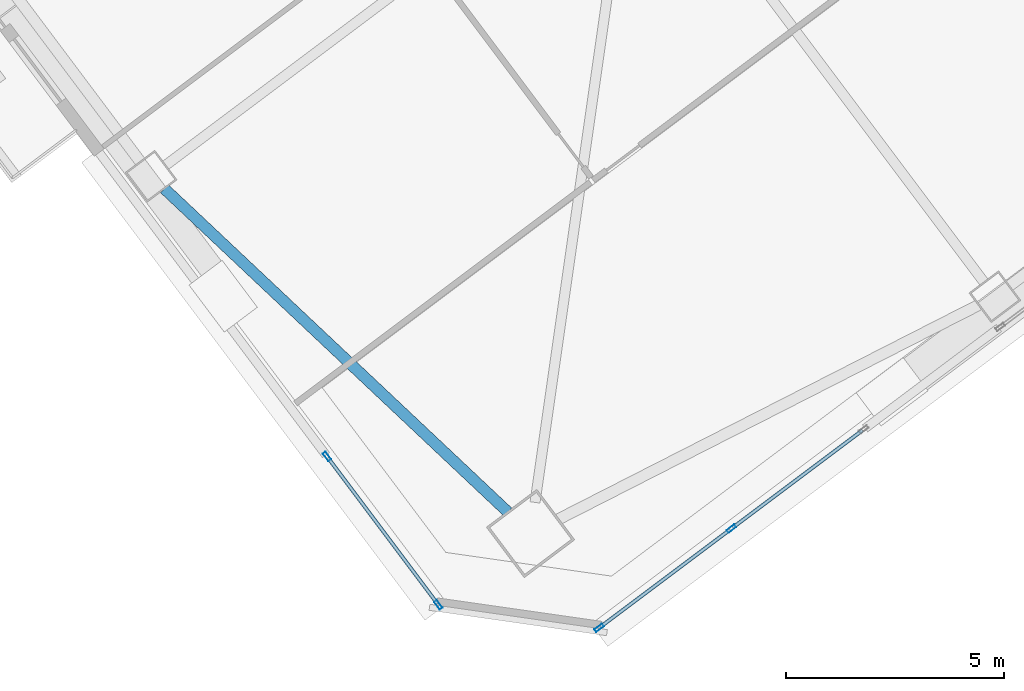
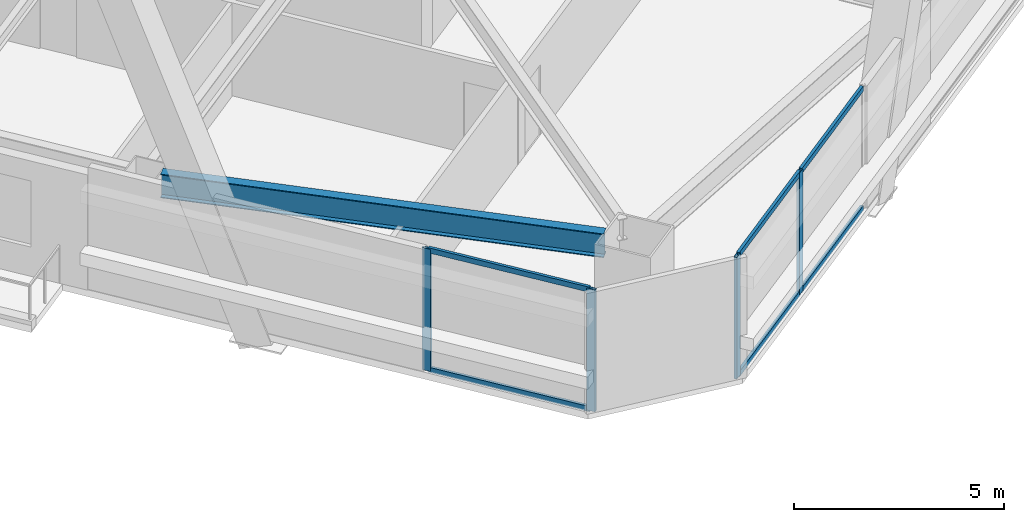
# One storey, part 24 of 54: 10 members, 1 beam, 2 elements without a shape of their own.
"""IFC4 building model written with IfcOpenShell, lengths in metres."""

from ifc_helpers import new_model, si_unit, direction, frame, origin, origin_2d, place, context, subcontext, project, spatial, hollow_rectangle, i_section, extrude, material, material_profile, profile_set, type_object, element, aggregate, save


model = new_model("IFC4")

# Units and contexts
model_context = context("Model", 3, precision=1e-05, world=origin(), true_north=direction((0.0, 1.0)))
body_context = subcontext(model_context, "Body", "Model", "MODEL_VIEW")
ifc_project = project(units=[si_unit("LENGTHUNIT", "METRE"), si_unit("AREAUNIT", "SQUARE_METRE"), si_unit("VOLUMEUNIT", "CUBIC_METRE"), si_unit("PLANEANGLEUNIT", "RADIAN"), si_unit("MASSUNIT", "GRAM", prefix="KILO")], contexts=[model_context])

# Site, building, storey
site_placement = place(None, origin())
site = spatial("IfcSite", under=ifc_project, at=site_placement, CompositionType="ELEMENT")
building_placement = place(site_placement, origin())
building = spatial("IfcBuilding", under=site, at=building_placement, Name="Tashvorn Skyway Center", CompositionType="ELEMENT")
storey_placement = place(building_placement, frame((0.0, 0.0, 88.5)))
storey = spatial("IfcBuildingStorey", under=building, at=storey_placement, Name="L23", CompositionType="ELEMENT", Elevation=88.5)

# Beam
ifc_material_1 = material(Name="Steel ASTM A992 Grade 50", Category="steel")
ifc_material_profile_1 = material_profile(ifc_material_1, i_section(OverallWidth=0.256103515625, OverallDepth=0.693115234375, WebThickness=0.014404296875, FlangeThickness=0.023681640625, at=origin_2d()), Name="W27X114")
ifc_profile_set_1 = profile_set([ifc_material_profile_1], Name="Steel ASTM A992 Grade 50")
beam_type = type_object("IfcBeamType", Name="BM-SPANDREL-W27X114", PredefinedType="SPANDREL", material=ifc_profile_set_1)
beam_placement = place(storey_placement, frame((102.145751953125, 15.842041015625, 3.00341796875), z_axis=(0.728086883893, -0.685484857238, 0.0), x_axis=(0.685484857238, 0.728086883893, 0.0)))
element("IfcBeam", 1, at=beam_placement, inside=storey, type_object=beam_type, Name="Tower 2 L23 Spandrel Beam 12", PredefinedType="SPANDREL", context=body_context, shape_type="SweptSolid", body=[
    extrude(i_section(OverallWidth=0.256103515625, OverallDepth=0.693115234375, WebThickness=0.014404296875, FlangeThickness=0.023681640625, at=origin_2d()), origin(), (0.0, 0.0, 1.0), 10.8369140625),
])

# Curtain wall, members
ifc_material_2 = material(Name="Thermally broken bronze-anodized aluminium 6063-T6", Category="aluminium")
curtain_wall_type = type_object("IfcCurtainWallType", Name="CW-CW-Z2", PredefinedType="NOTDEFINED", material=ifc_material_2)
curtain_wall_1_placement = place(storey_placement, origin())
curtain_wall_1 = element("IfcCurtainWall", 2, at=curtain_wall_1_placement, inside=storey, type_object=curtain_wall_type, Name="Tower 2 L23 South Unitised Curtain Wall Glazing Group 3", PredefinedType="NOTDEFINED")
ifc_material_profile_2 = material_profile(ifc_material_2, hollow_rectangle(XDim=0.080078125, YDim=0.219970703125, WallThickness=0.0048828125, at=origin_2d()), Name="ALU-MULL-80x220")
ifc_profile_set_2 = profile_set([ifc_material_profile_2], Name="Thermally broken bronze-anodized aluminium 6063-T6")
member_type_1 = type_object("IfcMemberType", Name="CWM-CW-Z2", PredefinedType="MULLION", material=ifc_profile_set_2)
member_1_placement = place(storey_placement, frame((115.176025390625, 8.031982421875, 0.0), z_axis=(0.0, 0.0, 1.0), x_axis=(0.600000000002, -0.799999999998, 0.0)))
member_1 = element("IfcMember", 3, at=member_1_placement, type_object=member_type_1, Name="CW-Z2 mullion 2", PredefinedType="MULLION", context=body_context, shape_type="SweptSolid", body=[
    extrude(hollow_rectangle(XDim=0.080078125, YDim=0.219970703125, WallThickness=0.0048828125, at=origin_2d()), origin(), (0.0, 0.0, 1.0), 3.550048828125),
])
member_2_placement = place(storey_placement, frame((112.135986328125, 5.751953125, 0.0), z_axis=(0.0, 0.0, 1.0), x_axis=(0.600000000002, -0.799999999998, 0.0)))
member_2 = element("IfcMember", 4, at=member_2_placement, type_object=member_type_1, Name="CW-Z2 mullion 3", PredefinedType="MULLION", context=body_context, shape_type="SweptSolid", body=[
    extrude(hollow_rectangle(XDim=0.080078125, YDim=0.219970703125, WallThickness=0.0048828125, at=origin_2d()), origin(), (0.0, 0.0, 1.0), 3.550048828125),
])

curtain_wall_2_placement = place(storey_placement, origin())
curtain_wall_2 = element("IfcCurtainWall", 5, at=curtain_wall_2_placement, inside=storey, type_object=curtain_wall_type, Name="Tower 2 L23 West Curtain Wall L Glazing Group 1", PredefinedType="NOTDEFINED")
member_3_placement = place(storey_placement, frame((108.43994140625, 6.280029296875, 0.0), z_axis=(0.0, 0.0, 1.0), x_axis=(-0.800002762832, -0.599996316206, 0.0)))
member_3 = element("IfcMember", 6, at=member_3_placement, type_object=member_type_1, Name="CW-Z2 mullion 1", PredefinedType="MULLION", context=body_context, shape_type="SweptSolid", body=[
    extrude(hollow_rectangle(XDim=0.080078125, YDim=0.219970703125, WallThickness=0.0048828125, at=origin_2d()), origin(), (0.0, 0.0, 1.0), 3.550048828125),
])
member_4_placement = place(storey_placement, frame((105.882080078125, 9.690673828125, 0.0), z_axis=(0.0, 0.0, 1.0), x_axis=(-0.800002762832, -0.599996316206, 0.0)))
member_4 = element("IfcMember", 7, at=member_4_placement, type_object=member_type_1, Name="CW-Z2 mullion 2", PredefinedType="MULLION", context=body_context, shape_type="SweptSolid", body=[
    extrude(hollow_rectangle(XDim=0.080078125, YDim=0.219970703125, WallThickness=0.0048828125, at=origin_2d()), origin(), (0.0, 0.0, 1.0), 3.550048828125),
])

# Member
ifc_material_profile_3 = material_profile(ifc_material_2, hollow_rectangle(XDim=0.080078125, YDim=0.14990234375, WallThickness=0.00439453125, at=origin_2d()), Name="ALU-TRAN-80x150")
ifc_profile_set_3 = profile_set([ifc_material_profile_3], Name="Thermally broken bronze-anodized aluminium 6063-T6")
member_type_2 = type_object("IfcMemberType", Name="CWT-CW-Z2", PredefinedType="USERDEFINED", material=ifc_profile_set_3)
member_5_placement = place(storey_placement, frame((118.18408203125, 10.2880859375, 0.0400390625), z_axis=(-0.799984249419, -0.6000210002, 0.0), x_axis=(0.6000210002, -0.799984249419, 0.0)))
member_5 = element("IfcMember", 8, at=member_5_placement, type_object=member_type_2, Name="CW-Z2 transom 1.1", ObjectType="TRANSOM", PredefinedType="USERDEFINED", context=body_context, shape_type="SweptSolid", body=[
    extrude(hollow_rectangle(XDim=0.080078125, YDim=0.14990234375, WallThickness=0.00439453125, at=origin_2d()), origin(), (0.0, 0.0, 1.0), 3.72021484375),
])

member_6_placement = place(storey_placement, frame((118.18408203125, 10.2880859375, 3.510009765625), z_axis=(-0.799984249419, -0.6000210002, 0.0), x_axis=(0.6000210002, -0.799984249419, 0.0)))
member_6 = element("IfcMember", 9, at=member_6_placement, type_object=member_type_2, Name="CW-Z2 transom 1.2", ObjectType="TRANSOM", PredefinedType="USERDEFINED", context=body_context, shape_type="SweptSolid", body=[
    extrude(hollow_rectangle(XDim=0.080078125, YDim=0.14990234375, WallThickness=0.00439453125, at=origin_2d()), origin(), (0.0, 0.0, 1.0), 3.72021484375),
])

member_7_placement = place(storey_placement, frame((115.14404296875, 8.008056640625, 0.0400390625), z_axis=(-0.799984249419, -0.6000210002, 0.0), x_axis=(0.6000210002, -0.799984249419, 0.0)))
member_7 = element("IfcMember", 10, at=member_7_placement, type_object=member_type_2, Name="CW-Z2 transom 2.1", ObjectType="TRANSOM", PredefinedType="USERDEFINED", context=body_context, shape_type="SweptSolid", body=[
    extrude(hollow_rectangle(XDim=0.080078125, YDim=0.14990234375, WallThickness=0.00439453125, at=origin_2d()), origin(), (0.0, 0.0, 1.0), 3.72021484375),
])

member_8_placement = place(storey_placement, frame((115.14404296875, 8.008056640625, 3.510009765625), z_axis=(-0.799984249419, -0.6000210002, 0.0), x_axis=(0.6000210002, -0.799984249419, 0.0)))
member_8 = element("IfcMember", 11, at=member_8_placement, type_object=member_type_2, Name="CW-Z2 transom 2.2", ObjectType="TRANSOM", PredefinedType="USERDEFINED", context=body_context, shape_type="SweptSolid", body=[
    extrude(hollow_rectangle(XDim=0.080078125, YDim=0.14990234375, WallThickness=0.00439453125, at=origin_2d()), origin(), (0.0, 0.0, 1.0), 3.72021484375),
])

aggregate(curtain_wall_1, [member_1, member_2, member_5, member_6, member_7, member_8])

member_9_placement = place(storey_placement, frame((108.416015625, 6.31201171875, 0.0400390625), z_axis=(-0.6, 0.8, 0.0), x_axis=(-0.8, -0.6, 0.0)))
member_9 = element("IfcMember", 12, at=member_9_placement, type_object=member_type_2, Name="CW-Z2 transom 1.1", ObjectType="TRANSOM", PredefinedType="USERDEFINED", context=body_context, shape_type="SweptSolid", body=[
    extrude(hollow_rectangle(XDim=0.080078125, YDim=0.14990234375, WallThickness=0.00439453125, at=origin_2d()), origin(), (0.0, 0.0, 1.0), 4.183349609375),
])

member_10_placement = place(storey_placement, frame((108.416015625, 6.31201171875, 3.510009765625), z_axis=(-0.6, 0.8, 0.0), x_axis=(-0.8, -0.6, 0.0)))
member_10 = element("IfcMember", 13, at=member_10_placement, type_object=member_type_2, Name="CW-Z2 transom 1.2", ObjectType="TRANSOM", PredefinedType="USERDEFINED", context=body_context, shape_type="SweptSolid", body=[
    extrude(hollow_rectangle(XDim=0.080078125, YDim=0.14990234375, WallThickness=0.00439453125, at=origin_2d()), origin(), (0.0, 0.0, 1.0), 4.183349609375),
])

aggregate(curtain_wall_2, [member_3, member_4, member_9, member_10])

save(model, "model.ifc")
